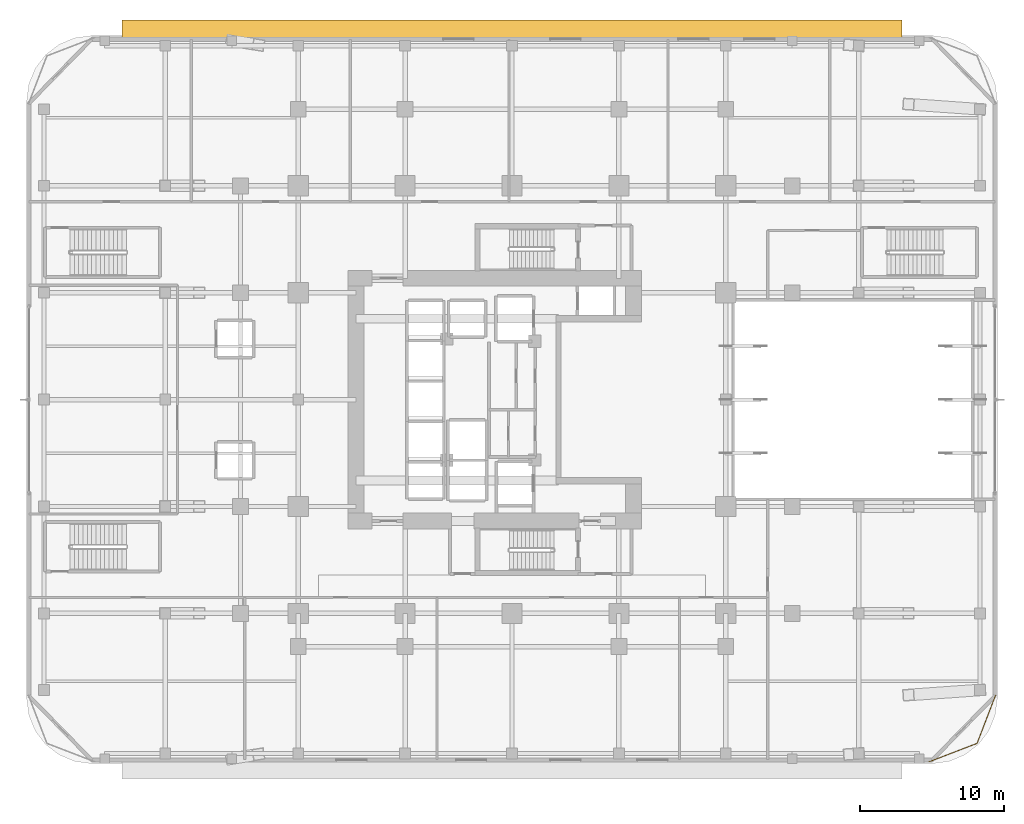
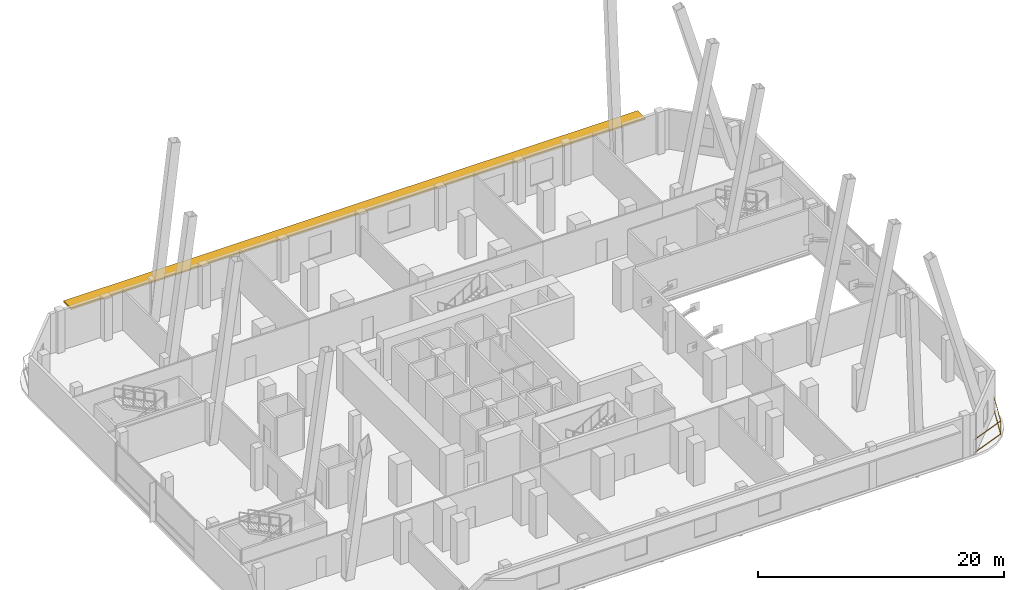
# One storey, part 22 of 23: 1 railing, 1 shading device.
"""IFC4 building model written with IfcOpenShell, lengths in metres."""

from ifc_helpers import new_model, si_unit, direction, frame, origin, origin_2d, place, context, subcontext, project, spatial, polyline, rectangle, outline, extrude, material, layer, layer_set, type_object, element, save


model = new_model("IFC4")

# Units and contexts
model_context = context("Model", 3, precision=1e-05, world=origin(), true_north=direction((0.0, 1.0)))
body_context = subcontext(model_context, "Body", "Model", "MODEL_VIEW")
ifc_project = project(units=[si_unit("LENGTHUNIT", "METRE"), si_unit("AREAUNIT", "SQUARE_METRE"), si_unit("VOLUMEUNIT", "CUBIC_METRE"), si_unit("PLANEANGLEUNIT", "RADIAN"), si_unit("MASSUNIT", "GRAM", prefix="KILO")], contexts=[model_context])

# Site, building, storey
site_placement = place(None, origin())
site = spatial("IfcSite", under=ifc_project, at=site_placement, CompositionType="ELEMENT")
building_placement = place(site_placement, origin())
building = spatial("IfcBuilding", under=site, at=building_placement, Name="Khorvyn Point Tower", CompositionType="ELEMENT")
storey_placement = place(building_placement, frame((0.0, 0.0, 9.0)))
storey = spatial("IfcBuildingStorey", under=building, at=storey_placement, Name="L03", CompositionType="ELEMENT", Elevation=9.0)

# Shading device
ifc_material_1 = material(Name="Bronze anodised aluminium 6063-T6", Category="aluminium")
ifc_layer = layer(ifc_material_1, 0.139892578125)
ifc_layer_set = layer_set([ifc_layer], Name="Anodised Aluminium Horizontal Monsoon Sunshade Canopy")
shading_device_type = type_object("IfcShadingDeviceType", Name="Anodised Aluminium Horizontal Monsoon Sunshade Canopy", PredefinedType="AWNING", material=ifc_layer_set)
shading_device_placement = place(storey_placement, frame((0.0, 0.0, 3.5400390625)))
element("IfcShadingDevice", 1, at=shading_device_placement, inside=storey, type_object=shading_device_type, Name="L03 North Classroom Monsoon Sunshade", PredefinedType="AWNING", context=body_context, shape_type="SweptSolid", body=[
    extrude(outline(polyline([(-27.0, 25.030029296875), (27.0, 25.030029296875), (27.0, 26.280029296875), (-27.0, 26.280029296875), (-27.0, 25.030029296875)])), origin(), (0.0, 0.0, 1.0), 0.139892578125),
])

# Railing
ifc_material_2 = material(Name="Anodised aluminium 6063-T6 and laminated safety glass", Category="aluminium")
railing_type = type_object("IfcRailingType", Name="Laminated Glass and Aluminium Balcony Guardrail 1400", PredefinedType="BALUSTRADE", material=ifc_material_2)
railing_placement = place(storey_placement, frame((28.870849609375, -25.073974609375, 0.0)))
element("IfcRailing", 2, at=railing_placement, inside=storey, type_object=railing_type, Name="L03 Rounded Corner Edge Guardrail SE", PredefinedType="BALUSTRADE", context=body_context, shape_type="SweptSolid", body=[
    extrude(rectangle(XDim=0.048095703125, YDim=0.048095703125, at=origin_2d()), frame((0.0, 0.0, 1.3759765625), z_axis=(0.933575007025, 0.358382067435, 0.0), x_axis=(-0.358382067435, 0.933575007025, 0.0)), (0.0, 0.0, 1.0), 3.562744140625),
    extrude(rectangle(XDim=0.048095703125, YDim=0.048095703125, at=origin_2d()), frame((0.0, 0.0, 0.080078125), z_axis=(0.933575007025, 0.358382067435, 0.0), x_axis=(-0.358382067435, 0.933575007025, 0.0)), (0.0, 0.0, 1.0), 3.562744140625),
    extrude(rectangle(XDim=0.048095703125, YDim=0.048095703125, at=origin_2d()), frame((3.326171875, 1.27685546875, 1.3759765625), z_axis=(0.35841886047, 0.933560882031, 0.0), x_axis=(-0.933560882031, 0.35841886047, 0.0)), (0.0, 0.0, 1.0), 3.563232421875),
    extrude(rectangle(XDim=0.048095703125, YDim=0.048095703125, at=origin_2d()), frame((3.326171875, 1.27685546875, 0.080078125), z_axis=(0.35841886047, 0.933560882031, 0.0), x_axis=(-0.933560882031, 0.35841886047, 0.0)), (0.0, 0.0, 1.0), 3.563232421875),
    extrude(rectangle(XDim=0.0419921875, YDim=0.0419921875, at=origin_2d()), origin(), (0.0, 0.0, 1.0), 1.351806640625),
    extrude(rectangle(XDim=0.0419921875, YDim=0.0419921875, at=origin_2d()), frame((3.326171875, 1.27685546875, 0.0)), (0.0, 0.0, 1.0), 1.351806640625),
    extrude(rectangle(XDim=0.0419921875, YDim=0.0419921875, at=origin_2d()), frame((4.603271484375, 4.603271484375, 0.0)), (0.0, 0.0, 1.0), 1.351806640625),
])

save(model, "model.ifc")
